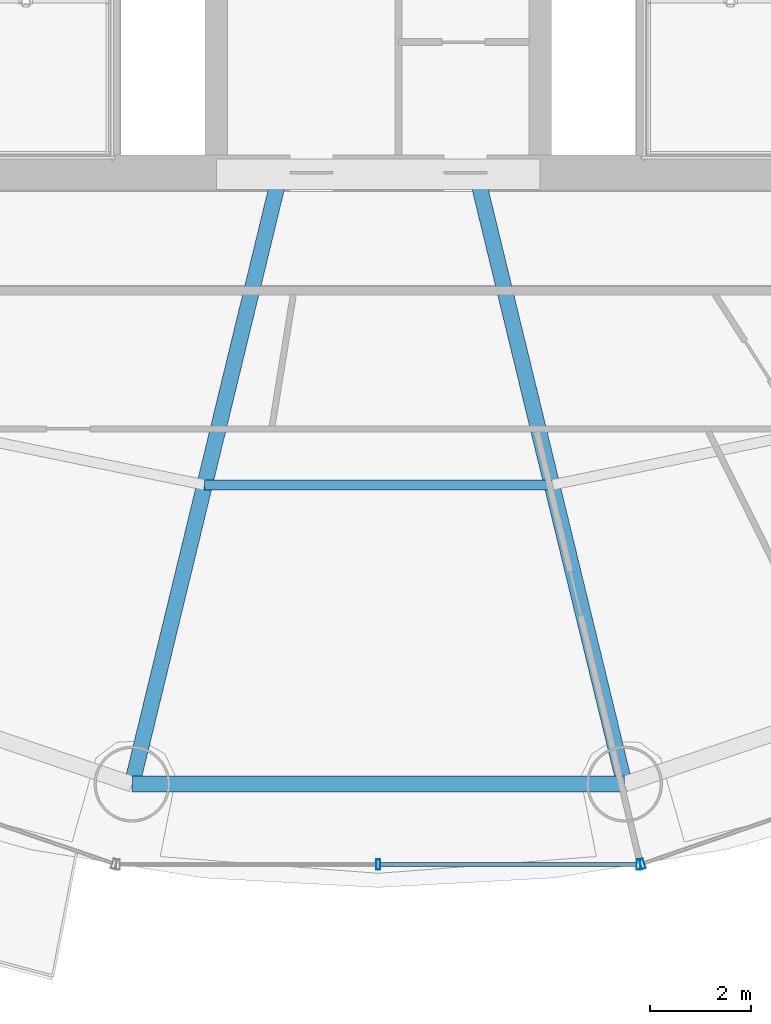
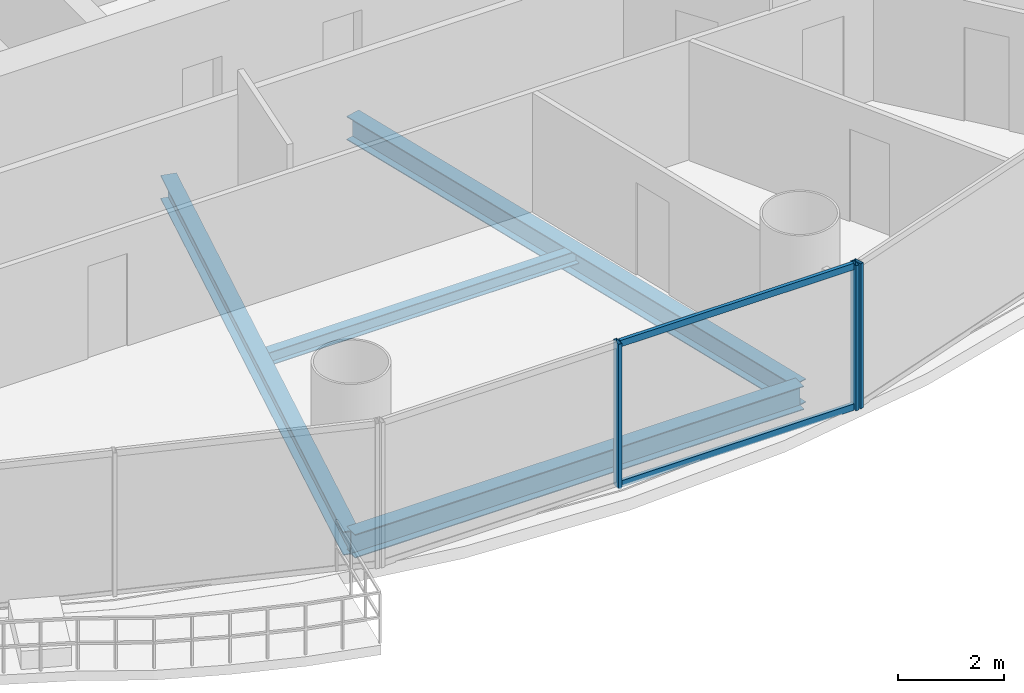
# One storey, part 5 of 29: 5 members, 4 beams, 2 elements without a shape of their own.
"""IFC4 building model written with IfcOpenShell, lengths in metres."""

from ifc_helpers import new_model, si_unit, direction, frame, origin, origin_2d, place, context, subcontext, project, spatial, hollow_rectangle, i_section, extrude, source, transform, mapped, material, material_profile, profile_set, type_object, element, aggregate, save


model = new_model("IFC4")

# Units and contexts
model_context = context("Model", 3, precision=1e-05, world=origin(), true_north=direction((-0.2419218956, 0.970295726276)))
body_context = subcontext(model_context, "Body", "Model", "MODEL_VIEW")
ifc_project = project(units=[si_unit("LENGTHUNIT", "METRE"), si_unit("AREAUNIT", "SQUARE_METRE"), si_unit("VOLUMEUNIT", "CUBIC_METRE"), si_unit("PLANEANGLEUNIT", "RADIAN"), si_unit("MASSUNIT", "GRAM", prefix="KILO")], contexts=[model_context])

# Site, building, storey
site_placement = place(None, origin())
site = spatial("IfcSite", under=ifc_project, at=site_placement, CompositionType="ELEMENT")
building_placement = place(site_placement, origin())
building = spatial("IfcBuilding", under=site, at=building_placement, Name="Cobrevalo Terracotta Tower", CompositionType="ELEMENT")
storey_placement = place(building_placement, frame((0.0, 0.0, 119.39990234375)))
storey = spatial("IfcBuildingStorey", under=building, at=storey_placement, Name="L31", CompositionType="ELEMENT", Elevation=119.39990234375)

# Beams
ifc_material_1 = material(Name="Steel S355", Category="steel")
ifc_material_profile_1 = material_profile(ifc_material_1, i_section(OverallWidth=0.31201171875, OverallDepth=0.54296875, WebThickness=0.0126953125, FlangeThickness=0.020263671875, at=origin_2d()), Name="W 530x150")
ifc_profile_set_1 = profile_set([ifc_material_profile_1], Name="Steel S355")
beam_type_1 = type_object("IfcBeamType", Name="Structural Beam W 530x150 (Steel S355)", PredefinedType="BEAM", material=ifc_profile_set_1)
for number, where, z_axis, x_axis, name in (
    (1, (33.132568359375, 6.742919921875, -0.54638671875), (0.235827379387, 0.971794961467, 0.0), (-0.971794961467, 0.235827379387, 0.0), "L31 radial floor girder 12"),
    (2, (42.867431640625, 6.742919921875, -0.54638671875), (-0.235827379387, 0.971794961467, 0.0), (-0.971794961467, -0.235827379387, 0.0), "L31 radial floor girder 13"),
):
    element("IfcBeam", number, at=place(storey_placement, frame(where, z_axis=z_axis, x_axis=x_axis)), inside=storey, type_object=beam_type_1, Name=name, PredefinedType="BEAM", context=body_context, shape_type="SweptSolid", body=[
        extrude(i_section(OverallWidth=0.31201171875, OverallDepth=0.54296875, WebThickness=0.0126953125, FlangeThickness=0.020263671875, at=origin_2d()), origin(), (0.0, 0.0, 1.0), 12.17041015625),
    ])
ifc_material_profile_2 = material_profile(ifc_material_1, i_section(OverallWidth=0.2041015625, OverallDepth=0.305908203125, WebThickness=0.008544921875, FlangeThickness=0.0146484375, at=origin_2d()), Name="W 310x67")
ifc_profile_set_2 = profile_set([ifc_material_profile_2], Name="Steel S355")
beam_type_2 = type_object("IfcBeamType", Name="Structural Joist W 310x67 (Steel S355)", PredefinedType="JOIST", material=ifc_profile_set_2)
beam_1_placement = place(storey_placement, frame((34.567626953125, 12.656494140625, -0.427978515625), z_axis=(1.0, 0.0, 0.0), x_axis=(0.0, 1.0, 0.0)))
element("IfcBeam", 3, at=beam_1_placement, inside=storey, type_object=beam_type_2, Name="L31 circumferential secondary floor joist 12", PredefinedType="JOIST", context=body_context, shape_type="SweptSolid", body=[
    extrude(i_section(OverallWidth=0.2041015625, OverallDepth=0.305908203125, WebThickness=0.008544921875, FlangeThickness=0.0146484375, at=origin_2d()), origin(), (0.0, 0.0, 1.0), 6.86474609375),
])
ifc_material_profile_3 = material_profile(ifc_material_1, i_section(OverallWidth=0.31201171875, OverallDepth=0.54296875, WebThickness=0.0126953125, FlangeThickness=0.020263671875, at=origin_2d()), Name="W 530x150")
ifc_profile_set_3 = profile_set([ifc_material_profile_3], Name="Steel S355")
beam_type_3 = type_object("IfcBeamType", Name="Structural Spandrel W 530x150 (Steel S355)", PredefinedType="SPANDREL", material=ifc_profile_set_3)
beam_2_placement = place(storey_placement, frame((33.132568359375, 6.742919921875, -0.54638671875), z_axis=(1.0, 0.0, 0.0), x_axis=(0.0, 1.0, 0.0)))
element("IfcBeam", 4, at=beam_2_placement, inside=storey, type_object=beam_type_3, Name="L31 perimeter ring spandrel 12", PredefinedType="SPANDREL", context=body_context, shape_type="SweptSolid", body=[
    extrude(i_section(OverallWidth=0.31201171875, OverallDepth=0.54296875, WebThickness=0.0126953125, FlangeThickness=0.020263671875, at=origin_2d()), origin(), (0.0, 0.0, 1.0), 9.73486328125),
])

# Curtain wall, members
ifc_material_2 = material(Name="Anodized aluminium", Category="aluminium")
curtain_wall_type = type_object("IfcCurtainWallType", Name="Lower-tower unitised acoustic low-E curtain wall CW-U1", PredefinedType="NOTDEFINED", material=ifc_material_2)
curtain_wall_1_placement = place(storey_placement, origin())
curtain_wall_1 = element("IfcCurtainWall", 5, at=curtain_wall_1_placement, inside=storey, type_object=curtain_wall_type, Name="L31 curtain wall CW-L31-S12", PredefinedType="NOTDEFINED")
ifc_material_profile_4 = material_profile(ifc_material_2, hollow_rectangle(XDim=0.074951171875, YDim=0.14990234375, WallThickness=0.00439453125, at=origin_2d()), Name="CWT 75x150")
ifc_profile_set_4 = profile_set([ifc_material_profile_4], Name="Anodized aluminium")
member_type_1 = type_object("IfcMemberType", Name="Tower unitised aluminium transom 75x150", PredefinedType="USERDEFINED", material=ifc_profile_set_4)
shared_shape_1 = source(origin(), body_context, "Body", "SweptSolid", [
    extrude(hollow_rectangle(XDim=0.074951171875, YDim=0.14990234375, WallThickness=0.00439453125, at=origin_2d()), origin(), (0.0, 0.0, 1.0), 5.0634765625),
])
member_1_placement = place(storey_placement, frame((38.0400390625, 5.154052734375, 0.050048828125), z_axis=(1.0, 0.0, 0.0), x_axis=(0.0, 1.0, 0.0)))
member_1 = element("IfcMember", 6, at=member_1_placement, type_object=member_type_1, Name="CW-L31-S12 transom B02-T1", ObjectType="TRANSOM", PredefinedType="USERDEFINED", context=body_context, shape_type="MappedRepresentation", body=[
    mapped(shared_shape_1, transform((0.0, 0.0, 0.0), scale=1.0)),
])
member_2_placement = place(storey_placement, frame((38.0400390625, 5.154052734375, 3.275146484375), z_axis=(1.0, 0.0, 0.0), x_axis=(0.0, 1.0, 0.0)))
member_2 = element("IfcMember", 7, at=member_2_placement, type_object=member_type_1, Name="CW-L31-S12 transom B02-T2", ObjectType="TRANSOM", PredefinedType="USERDEFINED", context=body_context, shape_type="MappedRepresentation", body=[
    mapped(shared_shape_1, transform((0.0, 0.0, 0.0), scale=1.0)),
])
ifc_material_profile_5 = material_profile(ifc_material_2, hollow_rectangle(XDim=0.074951171875, YDim=0.199951171875, WallThickness=0.0048828125, at=origin_2d()), Name="CWM 75x200")
ifc_profile_set_5 = profile_set([ifc_material_profile_5], Name="Anodized aluminium")
member_type_2 = type_object("IfcMemberType", Name="Lower/mid tower unitised mullion 75x200", PredefinedType="MULLION", material=ifc_profile_set_5)
shared_shape_2 = source(origin(), body_context, "Body", "SweptSolid", [
    extrude(hollow_rectangle(XDim=0.074951171875, YDim=0.199951171875, WallThickness=0.0048828125, at=origin_2d()), origin(), (0.0, 0.0, 1.0), 3.3251953125),
])
member_3_placement = place(storey_placement, frame((38.0, 5.154052734375, 0.0), z_axis=(0.0, 0.0, 1.0), x_axis=(1.0, 0.0, 0.0)))
member_3 = element("IfcMember", 8, at=member_3_placement, type_object=member_type_2, Name="CW-L31-S12 vertical mullion 02", PredefinedType="MULLION", context=body_context, shape_type="MappedRepresentation", body=[
    mapped(shared_shape_2, transform((0.0, 0.0, 0.0), scale=1.0)),
])
member_4_placement = place(storey_placement, frame((43.1435546875, 5.154052734375, 0.0), z_axis=(0.0, 0.0, 1.0), x_axis=(1.0, 0.0, 0.0)))
member_4 = element("IfcMember", 9, at=member_4_placement, type_object=member_type_2, Name="CW-L31-S12 vertical mullion 03", PredefinedType="MULLION", context=body_context, shape_type="MappedRepresentation", body=[
    mapped(shared_shape_2, transform((0.0, 0.0, 0.0), scale=1.0)),
])
aggregate(curtain_wall_1, [member_3, member_4, member_1, member_2])

# Curtain wall, member
curtain_wall_2_placement = place(storey_placement, origin())
curtain_wall_2 = element("IfcCurtainWall", 10, at=curtain_wall_2_placement, inside=storey, type_object=curtain_wall_type, Name="L31 curtain wall CW-L31-S13", PredefinedType="NOTDEFINED")
member_5_placement = place(storey_placement, frame((43.221435546875, 5.1669921875, 0.0), z_axis=(0.0, 0.0, 1.0), x_axis=(0.94559809868, 0.325337110968, 0.0)))
member_5 = element("IfcMember", 11, at=member_5_placement, type_object=member_type_2, Name="CW-L31-S13 vertical mullion 01", PredefinedType="MULLION", context=body_context, shape_type="MappedRepresentation", body=[
    mapped(shared_shape_2, transform((0.0, 0.0, 0.0), scale=1.0)),
])
aggregate(curtain_wall_2, [member_5])

save(model, "model.ifc")
